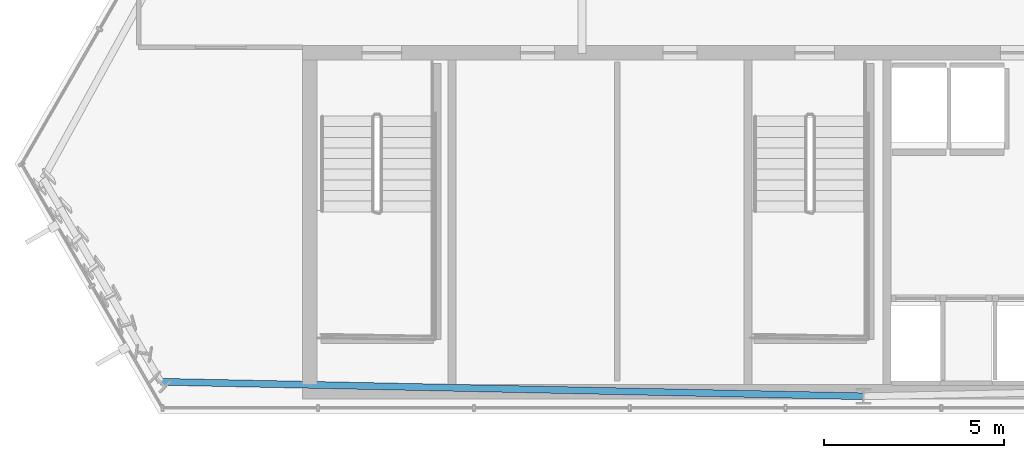
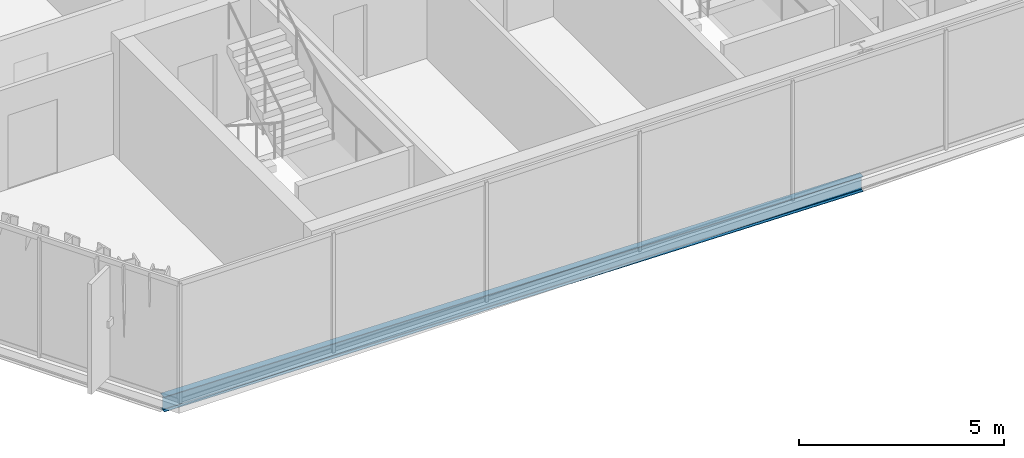
# One storey, part 3 of 30: 1 beam.
"""IFC4 building model written with IfcOpenShell, lengths in metres."""

from ifc_helpers import new_model, si_unit, direction, frame, origin, origin_2d, place, context, subcontext, project, spatial, i_section, extrude, material, material_profile, profile_set, type_object, element, save


model = new_model("IFC4")

# Units and contexts
model_context = context("Model", 3, precision=1e-05, world=origin(), true_north=direction((0.0, 1.0)))
body_context = subcontext(model_context, "Body", "Model", "MODEL_VIEW")
ifc_project = project(units=[si_unit("LENGTHUNIT", "METRE"), si_unit("AREAUNIT", "SQUARE_METRE"), si_unit("VOLUMEUNIT", "CUBIC_METRE"), si_unit("PLANEANGLEUNIT", "RADIAN"), si_unit("MASSUNIT", "GRAM", prefix="KILO")], contexts=[model_context])

# Site, building, storey
site_placement = place(None, origin())
site = spatial("IfcSite", under=ifc_project, at=site_placement, CompositionType="ELEMENT")
building_placement = place(site_placement, origin())
building = spatial("IfcBuilding", under=site, at=building_placement, Name="Ndaravel Arena Tower", CompositionType="ELEMENT")
storey_placement = place(building_placement, frame((0.0, 0.0, 225.60009765625)))
storey = spatial("IfcBuildingStorey", under=building, at=storey_placement, Name="L54", CompositionType="ELEMENT", Elevation=225.60009765625)

# Beam
ifc_material = material(Name="Steel S355", Category="steel")
ifc_material_profile = material_profile(ifc_material, i_section(OverallWidth=0.18994140625, OverallDepth=0.449951171875, WebThickness=0.009521484375, FlangeThickness=0.0146484375, FilletRadius=0.02099609375, at=origin_2d()), Name="IPE 450")
ifc_profile_set = profile_set([ifc_material_profile], Name="Steel S355")
beam_type = type_object("IfcBeamType", Name="BM-SPAN-IPE450", PredefinedType="SPANDREL", material=ifc_profile_set)
beam_placement = place(storey_placement, frame((22.51904296875, 5.88232421875, -0.445068359375), z_axis=(0.999786791244, -0.020648778504, 0.0), x_axis=(0.020648778504, 0.999786791244, 0.0)))
element("IfcBeam", 1, at=beam_placement, inside=storey, type_object=beam_type, Name="L54 Perimeter Spandrel Beam SP-27", PredefinedType="SPANDREL", context=body_context, shape_type="SweptSolid", body=[
    extrude(i_section(OverallWidth=0.18994140625, OverallDepth=0.449951171875, WebThickness=0.009521484375, FlangeThickness=0.0146484375, FilletRadius=0.02099609375, at=origin_2d()), origin(), (0.0, 0.0, 1.0), 19.485107421875),
])

save(model, "model.ifc")
